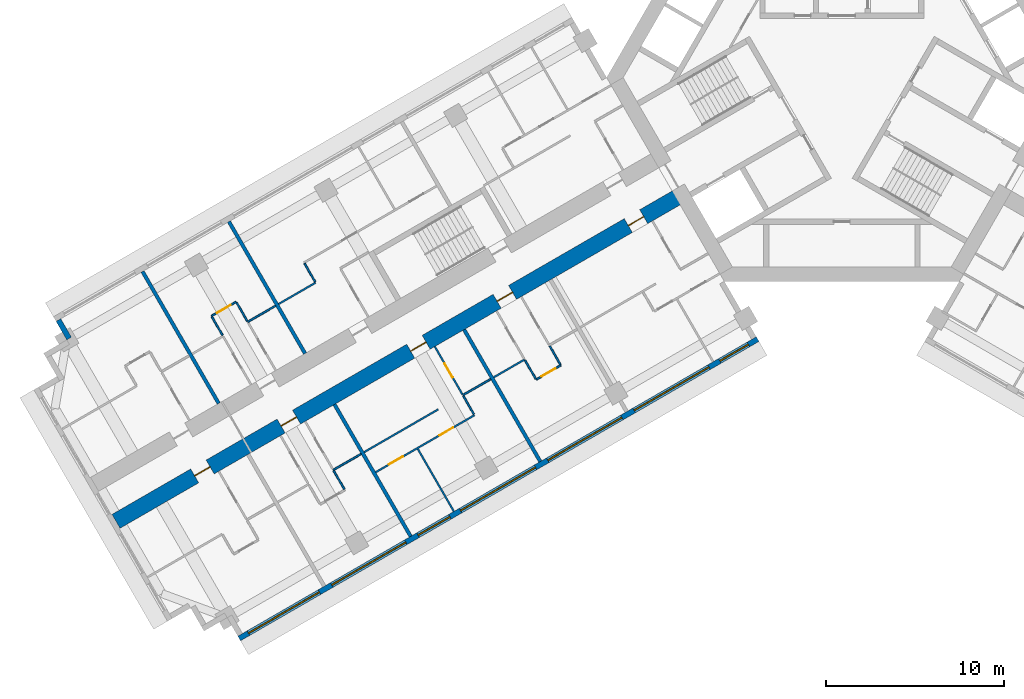
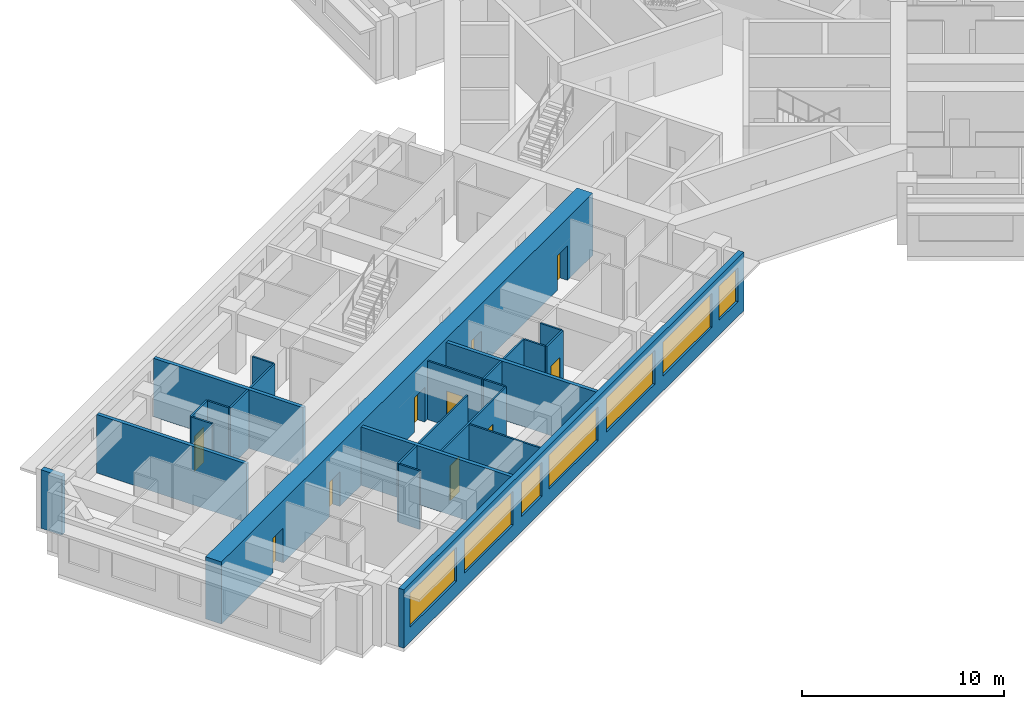
# One storey, part 4 of 16: 25 walls, 10 doors, 7 windows, 17 openings.
"""IFC4 building model written with IfcOpenShell, lengths in metres."""

from ifc_helpers import new_model, si_unit, direction, frame, frame_2d, origin, place, context, subcontext, project, spatial, rectangle, extrude, material, layer, layer_set, type_object, element, fill, save


model = new_model("IFC4")

# Units and contexts
model_context = context("Model", 3, precision=1e-05, world=origin(), true_north=direction((0.0, 1.0)))
body_context = subcontext(model_context, "Body", "Model", "MODEL_VIEW")
ifc_project = project(units=[si_unit("LENGTHUNIT", "METRE"), si_unit("AREAUNIT", "SQUARE_METRE"), si_unit("VOLUMEUNIT", "CUBIC_METRE"), si_unit("PLANEANGLEUNIT", "RADIAN"), si_unit("MASSUNIT", "GRAM", prefix="KILO")], contexts=[model_context])

# Site, building, storey
site_placement = place(None, origin())
site = spatial("IfcSite", under=ifc_project, at=site_placement, CompositionType="ELEMENT")
building_placement = place(site_placement, origin())
building = spatial("IfcBuilding", under=site, at=building_placement, Name="Impinga Residences", CompositionType="ELEMENT")
storey_placement = place(building_placement, frame((0.0, 0.0, 106.0)))
storey = spatial("IfcBuildingStorey", under=building, at=storey_placement, Name="L25", CompositionType="ELEMENT", Elevation=106.0)

# Wall, openings, doors
ifc_material_1 = material(Name="Concrete C60/75", Category="concrete")
ifc_layer_1 = layer(ifc_material_1, 0.89990234375)
ifc_layer_set_1 = layer_set([ifc_layer_1], Name="Concrete C60/75")
wall_type_1 = type_object("IfcWallType", Name="BW2 corridor buttress wall, L24 to L44 900", PredefinedType="SHEAR", material=ifc_layer_set_1)
wall_1_placement = place(storey_placement, frame((-8.95361328125, -6.554931640625, 0.0), z_axis=(0.0, 0.0, 1.0), x_axis=(-0.866024733898, -0.500001160275, 0.0)))
wall_1 = element("IfcWall", 1, at=wall_1_placement, inside=storey, type_object=wall_type_1, Name="Corridor wall BW2 WC L25", PredefinedType="SHEAR", context=body_context, shape_type="SweptSolid", body=[
    extrude(rectangle(XDim=36.7001953125, YDim=0.89990234375, at=frame_2d((18.35009765625, 0.0))), origin(), (0.0, 0.0, 1.0), 3.75),
])
opening_1_placement = place(wall_1_placement, frame((2.5, 0.0, 0.0)))
opening_1 = element("IfcOpeningElement", 2, at=opening_1_placement, cuts=wall_1, Name="Opening D1", PredefinedType="OPENING", context=body_context, shape_type="SweptSolid", body=[
    extrude(rectangle(XDim=1.0, YDim=2.10009765625, at=frame_2d((0.5, 1.050048828125))), frame((0.0, 0.4599609375, 0.0), z_axis=(0.0, -1.0, 0.0), x_axis=(1.0, 0.0, 0.0)), (0.0, 0.0, 1.0), 0.919921875),
])
opening_2_placement = place(wall_1_placement, frame((11.0, 0.0, 0.0)))
opening_2 = element("IfcOpeningElement", 3, at=opening_2_placement, cuts=wall_1, Name="Opening D1", PredefinedType="OPENING", context=body_context, shape_type="SweptSolid", body=[
    extrude(rectangle(XDim=1.0, YDim=2.10009765625, at=frame_2d((0.5, 1.050048828125))), frame((0.0, 0.4599609375, 0.0), z_axis=(0.0, -1.0, 0.0), x_axis=(1.0, 0.0, 0.0)), (0.0, 0.0, 1.0), 0.919921875),
])
opening_3_placement = place(wall_1_placement, frame((16.60009765625, 0.0, 0.0)))
opening_3 = element("IfcOpeningElement", 4, at=opening_3_placement, cuts=wall_1, Name="Opening D1", PredefinedType="OPENING", context=body_context, shape_type="SweptSolid", body=[
    extrude(rectangle(XDim=1.0, YDim=2.10009765625, at=frame_2d((0.5, 1.050048828125))), frame((0.0, 0.4599609375, 0.0), z_axis=(0.0, -1.0, 0.0), x_axis=(1.0, 0.0, 0.0)), (0.0, 0.0, 1.0), 0.919921875),
])
opening_4_placement = place(wall_1_placement, frame((25.0, 0.0, 0.0)))
opening_4 = element("IfcOpeningElement", 5, at=opening_4_placement, cuts=wall_1, Name="Opening D1", PredefinedType="OPENING", context=body_context, shape_type="SweptSolid", body=[
    extrude(rectangle(XDim=1.0, YDim=2.10009765625, at=frame_2d((0.5, 1.050048828125))), frame((0.0, 0.4599609375, 0.0), z_axis=(0.0, -1.0, 0.0), x_axis=(1.0, 0.0, 0.0)), (0.0, 0.0, 1.0), 0.919921875),
])
opening_5_placement = place(wall_1_placement, frame((30.60009765625, 0.0, 0.0)))
opening_5 = element("IfcOpeningElement", 6, at=opening_5_placement, cuts=wall_1, Name="Opening D1", PredefinedType="OPENING", context=body_context, shape_type="SweptSolid", body=[
    extrude(rectangle(XDim=1.0, YDim=2.10009765625, at=frame_2d((0.5, 1.050048828125))), frame((0.0, 0.4599609375, 0.0), z_axis=(0.0, -1.0, 0.0), x_axis=(1.0, 0.0, 0.0)), (0.0, 0.0, 1.0), 0.919921875),
])
ifc_material_2 = material(Name="Timber door set", Category="wood")
door_type_1 = type_object("IfcDoorType", Name="D1 apartment entrance door 1000x2100", OperationType="SINGLE_SWING_LEFT", PredefinedType="DOOR", material=ifc_material_2)
door_1_placement = place(opening_1_placement, origin())
door_1 = element("IfcDoor", 7, at=door_1_placement, inside=storey, type_object=door_type_1, Name="Apartment L25-WA1 entrance", OperationType="SINGLE_SWING_LEFT", OverallHeight=2.10009765625, OverallWidth=1.0, PredefinedType="DOOR", context=body_context, shape_type="SweptSolid", body=[
    extrude(rectangle(XDim=1.0, YDim=2.10009765625, at=frame_2d((0.5, 1.050048828125))), frame((0.0, 0.02490234375, 0.0), z_axis=(0.0, -1.0, 0.0), x_axis=(1.0, 0.0, 0.0)), (0.0, 0.0, 1.0), 0.050048828125),
])
fill(opening_1, door_1)
door_2_placement = place(opening_2_placement, origin())
door_2 = element("IfcDoor", 8, at=door_2_placement, inside=storey, type_object=door_type_1, Name="Apartment L25-WA2 entrance", OperationType="SINGLE_SWING_LEFT", OverallHeight=2.10009765625, OverallWidth=1.0, PredefinedType="DOOR", context=body_context, shape_type="SweptSolid", body=[
    extrude(rectangle(XDim=1.0, YDim=2.10009765625, at=frame_2d((0.5, 1.050048828125))), frame((0.0, 0.02490234375, 0.0), z_axis=(0.0, -1.0, 0.0), x_axis=(1.0, 0.0, 0.0)), (0.0, 0.0, 1.0), 0.050048828125),
])
fill(opening_2, door_2)
door_3_placement = place(opening_3_placement, origin())
door_3 = element("IfcDoor", 9, at=door_3_placement, inside=storey, type_object=door_type_1, Name="Apartment L25-WA3 entrance", OperationType="SINGLE_SWING_LEFT", OverallHeight=2.10009765625, OverallWidth=1.0, PredefinedType="DOOR", context=body_context, shape_type="SweptSolid", body=[
    extrude(rectangle(XDim=1.0, YDim=2.10009765625, at=frame_2d((0.5, 1.050048828125))), frame((0.0, 0.02490234375, 0.0), z_axis=(0.0, -1.0, 0.0), x_axis=(1.0, 0.0, 0.0)), (0.0, 0.0, 1.0), 0.050048828125),
])
fill(opening_3, door_3)
door_4_placement = place(opening_4_placement, origin())
door_4 = element("IfcDoor", 10, at=door_4_placement, inside=storey, type_object=door_type_1, Name="Apartment L25-WA4 entrance", OperationType="SINGLE_SWING_RIGHT", OverallHeight=2.10009765625, OverallWidth=1.0, PredefinedType="DOOR", context=body_context, shape_type="SweptSolid", body=[
    extrude(rectangle(XDim=1.0, YDim=2.10009765625, at=frame_2d((0.5, 1.050048828125))), frame((0.0, 0.02490234375, 0.0), z_axis=(0.0, -1.0, 0.0), x_axis=(1.0, 0.0, 0.0)), (0.0, 0.0, 1.0), 0.050048828125),
])
fill(opening_4, door_4)
door_5_placement = place(opening_5_placement, origin())
door_5 = element("IfcDoor", 11, at=door_5_placement, inside=storey, type_object=door_type_1, Name="Apartment L25-WA5 entrance", OperationType="SINGLE_SWING_RIGHT", OverallHeight=2.10009765625, OverallWidth=1.0, PredefinedType="DOOR", context=body_context, shape_type="SweptSolid", body=[
    extrude(rectangle(XDim=1.0, YDim=2.10009765625, at=frame_2d((0.5, 1.050048828125))), frame((0.0, 0.02490234375, 0.0), z_axis=(0.0, -1.0, 0.0), x_axis=(1.0, 0.0, 0.0)), (0.0, 0.0, 1.0), 0.050048828125),
])
fill(opening_5, door_5)

# Wall
ifc_material_3 = material(Name="Terracotta rainscreen on blockwork", Category="masonry")
ifc_layer_2 = layer(ifc_material_3, 0.300048828125)
ifc_layer_set_2 = layer_set([ifc_layer_2], Name="EW1 external wall, terracotta rainscreen on blockwork 300")
wall_type_2 = type_object("IfcWallType", Name="EW1 external wall, terracotta rainscreen on blockwork 300", PredefinedType="SOLIDWALL", material=ifc_layer_set_2)
wall_2_placement = place(storey_placement, frame((-43.37109375, -14.64208984375, 0.0), z_axis=(0.0, 0.0, 1.0), x_axis=(-0.500029051137, 0.866008630453, 0.0)))
element("IfcWall", 12, at=wall_2_placement, inside=storey, type_object=wall_type_2, Name="External wall EW1 L25", PredefinedType="SOLIDWALL", context=body_context, shape_type="SweptSolid", body=[
    extrude(rectangle(XDim=1.19482421875, YDim=0.300048828125, at=frame_2d((0.597412109375, 0.0))), origin(), (0.0, 0.0, 1.0), 3.530029296875),
])

# Wall, openings, windows
wall_3_placement = place(storey_placement, frame((-4.72509765625, -14.67919921875, 0.0), z_axis=(0.0, 0.0, 1.0), x_axis=(-0.866024291668, -0.500001926238, 0.0)))
wall_3 = element("IfcWall", 13, at=wall_3_placement, inside=storey, type_object=wall_type_2, Name="External wall EW1 L25", PredefinedType="SOLIDWALL", context=body_context, shape_type="SweptSolid", body=[
    extrude(rectangle(XDim=33.599853515625, YDim=0.300048828125, at=frame_2d((16.7998046875, 0.0))), origin(), (0.0, 0.0, 1.0), 3.530029296875),
])
opening_6_placement = place(wall_3_placement, frame((0.60009765625, 0.0, 0.89990234375)))
opening_6 = element("IfcOpeningElement", 14, at=opening_6_placement, cuts=wall_3, Name="Opening W15", PredefinedType="OPENING", context=body_context, shape_type="SweptSolid", body=[
    extrude(rectangle(XDim=1.85009765625, YDim=2.050048828125, at=frame_2d((0.925048828125, 1.02490234375))), frame((0.0, 0.159912109375, 0.0), z_axis=(0.0, -1.0, 0.0), x_axis=(1.0, 0.0, 0.0)), (0.0, 0.0, 1.0), 0.320068359375),
])
opening_7_placement = place(wall_3_placement, frame((3.14990234375, 0.0, 0.89990234375)))
opening_7 = element("IfcOpeningElement", 15, at=opening_7_placement, cuts=wall_3, Name="Opening W6", PredefinedType="OPENING", context=body_context, shape_type="SweptSolid", body=[
    extrude(rectangle(XDim=4.85009765625, YDim=2.050048828125, at=frame_2d((2.425048828125, 1.02490234375))), frame((0.0, 0.159912109375, 0.0), z_axis=(0.0, -1.0, 0.0), x_axis=(1.0, 0.0, 0.0)), (0.0, 0.0, 1.0), 0.320068359375),
])
opening_8_placement = place(wall_3_placement, frame((8.800048828125, 0.0, 0.89990234375)))
opening_8 = element("IfcOpeningElement", 16, at=opening_8_placement, cuts=wall_3, Name="Opening W8", PredefinedType="OPENING", context=body_context, shape_type="SweptSolid", body=[
    extrude(rectangle(XDim=4.800048828125, YDim=2.050048828125, at=frame_2d((2.39990234375, 1.02490234375))), frame((0.0, 0.159912109375, 0.0), z_axis=(0.0, -1.0, 0.0), x_axis=(1.0, 0.0, 0.0)), (0.0, 0.0, 1.0), 0.320068359375),
])
opening_9_placement = place(wall_3_placement, frame((14.39990234375, 0.0, 0.89990234375)))
opening_9 = element("IfcOpeningElement", 17, at=opening_9_placement, cuts=wall_3, Name="Opening W6", PredefinedType="OPENING", context=body_context, shape_type="SweptSolid", body=[
    extrude(rectangle(XDim=4.85009765625, YDim=2.050048828125, at=frame_2d((2.425048828125, 1.02490234375))), frame((0.0, 0.159912109375, 0.0), z_axis=(0.0, -1.0, 0.0), x_axis=(1.0, 0.0, 0.0)), (0.0, 0.0, 1.0), 0.320068359375),
])
opening_10_placement = place(wall_3_placement, frame((19.949951171875, 0.0, 0.89990234375)))
opening_10 = element("IfcOpeningElement", 18, at=opening_10_placement, cuts=wall_3, Name="Opening W14", PredefinedType="OPENING", context=body_context, shape_type="SweptSolid", body=[
    extrude(rectangle(XDim=2.050048828125, YDim=2.050048828125, at=frame_2d((1.02490234375, 1.02490234375))), frame((0.0, 0.159912109375, 0.0), z_axis=(0.0, -1.0, 0.0), x_axis=(1.0, 0.0, 0.0)), (0.0, 0.0, 1.0), 0.320068359375),
])
opening_11_placement = place(wall_3_placement, frame((22.800048828125, 0.0, 0.89990234375)))
opening_11 = element("IfcOpeningElement", 19, at=opening_11_placement, cuts=wall_3, Name="Opening W8", PredefinedType="OPENING", context=body_context, shape_type="SweptSolid", body=[
    extrude(rectangle(XDim=4.800048828125, YDim=2.050048828125, at=frame_2d((2.39990234375, 1.02490234375))), frame((0.0, 0.159912109375, 0.0), z_axis=(0.0, -1.0, 0.0), x_axis=(1.0, 0.0, 0.0)), (0.0, 0.0, 1.0), 0.320068359375),
])
opening_12_placement = place(wall_3_placement, frame((28.39990234375, 0.0, 0.89990234375)))
opening_12 = element("IfcOpeningElement", 20, at=opening_12_placement, cuts=wall_3, Name="Opening W3", PredefinedType="OPENING", context=body_context, shape_type="SweptSolid", body=[
    extrude(rectangle(XDim=4.60009765625, YDim=2.050048828125, at=frame_2d((2.300048828125, 1.02490234375))), frame((0.0, 0.159912109375, 0.0), z_axis=(0.0, -1.0, 0.0), x_axis=(1.0, 0.0, 0.0)), (0.0, 0.0, 1.0), 0.320068359375),
])
ifc_material_4 = material(Name="Aluminium window, clear double glazing", Category="aluminium")
window_type_1 = type_object("IfcWindowType", Name="W14 ribbon window 2050x2050", PartitioningType="SINGLE_PANEL", PredefinedType="WINDOW", material=ifc_material_4)
window_1_placement = place(opening_10_placement, origin())
window_1 = element("IfcWindow", 21, at=window_1_placement, inside=storey, type_object=window_type_1, Name="Window L25", OverallHeight=2.050048828125, OverallWidth=2.050048828125, PartitioningType="SINGLE_PANEL", PredefinedType="WINDOW", context=body_context, shape_type="SweptSolid", body=[
    extrude(rectangle(XDim=2.050048828125, YDim=2.050048828125, at=frame_2d((1.02490234375, 1.02490234375))), frame((0.0, 0.030029296875, 0.0), z_axis=(0.0, -1.0, 0.0), x_axis=(1.0, 0.0, 0.0)), (0.0, 0.0, 1.0), 0.06005859375),
])
fill(opening_10, window_1)
window_type_2 = type_object("IfcWindowType", Name="W15 ribbon window 1850x2050", PartitioningType="SINGLE_PANEL", PredefinedType="WINDOW", material=ifc_material_4)
window_2_placement = place(opening_6_placement, origin())
window_2 = element("IfcWindow", 22, at=window_2_placement, inside=storey, type_object=window_type_2, Name="Window L25", OverallHeight=2.050048828125, OverallWidth=1.85009765625, PartitioningType="SINGLE_PANEL", PredefinedType="WINDOW", context=body_context, shape_type="SweptSolid", body=[
    extrude(rectangle(XDim=1.85009765625, YDim=2.050048828125, at=frame_2d((0.925048828125, 1.02490234375))), frame((0.0, 0.030029296875, 0.0), z_axis=(0.0, -1.0, 0.0), x_axis=(1.0, 0.0, 0.0)), (0.0, 0.0, 1.0), 0.06005859375),
])
fill(opening_6, window_2)
window_type_3 = type_object("IfcWindowType", Name="W3 ribbon window 4600x2050", PartitioningType="SINGLE_PANEL", PredefinedType="WINDOW", material=ifc_material_4)
window_3_placement = place(opening_12_placement, origin())
window_3 = element("IfcWindow", 23, at=window_3_placement, inside=storey, type_object=window_type_3, Name="Window L25", OverallHeight=2.050048828125, OverallWidth=4.60009765625, PartitioningType="SINGLE_PANEL", PredefinedType="WINDOW", context=body_context, shape_type="SweptSolid", body=[
    extrude(rectangle(XDim=4.60009765625, YDim=2.050048828125, at=frame_2d((2.300048828125, 1.02490234375))), frame((0.0, 0.030029296875, 0.0), z_axis=(0.0, -1.0, 0.0), x_axis=(1.0, 0.0, 0.0)), (0.0, 0.0, 1.0), 0.06005859375),
])
fill(opening_12, window_3)
window_type_4 = type_object("IfcWindowType", Name="W6 ribbon window 4850x2050", PartitioningType="SINGLE_PANEL", PredefinedType="WINDOW", material=ifc_material_4)
window_4_placement = place(opening_7_placement, origin())
window_4 = element("IfcWindow", 24, at=window_4_placement, inside=storey, type_object=window_type_4, Name="Window L25", OverallHeight=2.050048828125, OverallWidth=4.85009765625, PartitioningType="SINGLE_PANEL", PredefinedType="WINDOW", context=body_context, shape_type="SweptSolid", body=[
    extrude(rectangle(XDim=4.85009765625, YDim=2.050048828125, at=frame_2d((2.425048828125, 1.02490234375))), frame((0.0, 0.030029296875, 0.0), z_axis=(0.0, -1.0, 0.0), x_axis=(1.0, 0.0, 0.0)), (0.0, 0.0, 1.0), 0.06005859375),
])
fill(opening_7, window_4)
window_5_placement = place(opening_9_placement, origin())
window_5 = element("IfcWindow", 25, at=window_5_placement, inside=storey, type_object=window_type_4, Name="Window L25", OverallHeight=2.050048828125, OverallWidth=4.85009765625, PartitioningType="SINGLE_PANEL", PredefinedType="WINDOW", context=body_context, shape_type="SweptSolid", body=[
    extrude(rectangle(XDim=4.85009765625, YDim=2.050048828125, at=frame_2d((2.425048828125, 1.02490234375))), frame((0.0, 0.030029296875, 0.0), z_axis=(0.0, -1.0, 0.0), x_axis=(1.0, 0.0, 0.0)), (0.0, 0.0, 1.0), 0.06005859375),
])
fill(opening_9, window_5)
window_type_5 = type_object("IfcWindowType", Name="W8 ribbon window 4800x2050", PartitioningType="SINGLE_PANEL", PredefinedType="WINDOW", material=ifc_material_4)
window_6_placement = place(opening_8_placement, origin())
window_6 = element("IfcWindow", 26, at=window_6_placement, inside=storey, type_object=window_type_5, Name="Window L25", OverallHeight=2.050048828125, OverallWidth=4.800048828125, PartitioningType="SINGLE_PANEL", PredefinedType="WINDOW", context=body_context, shape_type="SweptSolid", body=[
    extrude(rectangle(XDim=4.800048828125, YDim=2.050048828125, at=frame_2d((2.39990234375, 1.02490234375))), frame((0.0, 0.030029296875, 0.0), z_axis=(0.0, -1.0, 0.0), x_axis=(1.0, 0.0, 0.0)), (0.0, 0.0, 1.0), 0.06005859375),
])
fill(opening_8, window_6)
window_7_placement = place(opening_11_placement, origin())
window_7 = element("IfcWindow", 27, at=window_7_placement, inside=storey, type_object=window_type_5, Name="Window L25", OverallHeight=2.050048828125, OverallWidth=4.800048828125, PartitioningType="SINGLE_PANEL", PredefinedType="WINDOW", context=body_context, shape_type="SweptSolid", body=[
    extrude(rectangle(XDim=4.800048828125, YDim=2.050048828125, at=frame_2d((2.39990234375, 1.02490234375))), frame((0.0, 0.030029296875, 0.0), z_axis=(0.0, -1.0, 0.0), x_axis=(1.0, 0.0, 0.0)), (0.0, 0.0, 1.0), 0.06005859375),
])
fill(opening_11, window_7)

# Wall
ifc_material_5 = material(Name="Gypsum board on steel studs", Category="steel")
ifc_layer_3 = layer(ifc_material_5, 0.10009765625)
ifc_layer_set_3 = layer_set([ifc_layer_3], Name="Gypsum board on steel studs")
wall_type_3 = type_object("IfcWallType", Name="IP1 partition 100", PredefinedType="PARTITIONING", material=ifc_layer_set_3)
wall_4_placement = place(storey_placement, frame((-17.8056640625, -15.82275390625, 0.0), z_axis=(0.0, 0.0, 1.0), x_axis=(-0.866041268327, -0.499972520799, 0.0)))
element("IfcWall", 28, at=wall_4_placement, inside=storey, type_object=wall_type_3, Name="Partition L25-WA2:DIV1", PredefinedType="PARTITIONING", context=body_context, shape_type="SweptSolid", body=[
    extrude(rectangle(XDim=2.0, YDim=0.10009765625, at=frame_2d((1.0, 0.0))), origin(), (0.0, 0.0, 1.0), 3.530029296875),
])

# Wall, opening, door
wall_5_placement = place(storey_placement, frame((-15.77001953125, -16.1484375, 0.0), z_axis=(0.0, 0.0, 1.0), x_axis=(-0.866028054938, -0.499995408039, 0.0)))
wall_5 = element("IfcWall", 29, at=wall_5_placement, inside=storey, type_object=wall_type_3, Name="Partition L25-WA2:STRIP", PredefinedType="PARTITIONING", context=body_context, shape_type="SweptSolid", body=[
    extrude(rectangle(XDim=1.60009765625, YDim=0.10009765625, at=frame_2d((0.800048828125, 0.0))), origin(), (0.0, 0.0, 1.0), 3.530029296875),
])
opening_13_placement = place(wall_5_placement, frame((0.35009765625, 0.0, 0.0)))
opening_13 = element("IfcOpeningElement", 30, at=opening_13_placement, cuts=wall_5, Name="Opening D2", PredefinedType="OPENING", context=body_context, shape_type="SweptSolid", body=[
    extrude(rectangle(XDim=0.89990234375, YDim=2.10009765625, at=frame_2d((0.449951171875, 1.050048828125))), frame((0.0, 0.06005859375, 0.0), z_axis=(0.0, -1.0, 0.0), x_axis=(1.0, 0.0, 0.0)), (0.0, 0.0, 1.0), 0.1201171875),
])
door_type_2 = type_object("IfcDoorType", Name="D2 internal door 900x2100", OperationType="SINGLE_SWING_LEFT", PredefinedType="DOOR", material=ifc_material_2)
door_6_placement = place(opening_13_placement, origin())
door_6 = element("IfcDoor", 31, at=door_6_placement, inside=storey, type_object=door_type_2, Name="Apartment L25-WA2 room door", OperationType="SINGLE_SWING_LEFT", OverallHeight=2.10009765625, OverallWidth=0.89990234375, PredefinedType="DOOR", context=body_context, shape_type="SweptSolid", body=[
    extrude(rectangle(XDim=0.89990234375, YDim=2.10009765625, at=frame_2d((0.449951171875, 1.050048828125))), frame((0.0, 0.02490234375, 0.0), z_axis=(0.0, -1.0, 0.0), x_axis=(1.0, 0.0, 0.0)), (0.0, 0.0, 1.0), 0.050048828125),
])
fill(opening_13, door_6)

# Walls
wall_6_placement = place(storey_placement, frame((-16.39501953125, -15.06591796875, 0.0), z_axis=(0.0, 0.0, 1.0), x_axis=(0.499880961361, -0.866094119867, 0.0)))
element("IfcWall", 32, at=wall_6_placement, inside=storey, type_object=wall_type_3, Name="Partition L25-WA2:SE0", PredefinedType="PARTITIONING", context=body_context, shape_type="SweptSolid", body=[
    extrude(rectangle(XDim=1.199951171875, YDim=0.10009765625, at=frame_2d((0.60009765625, 0.0))), origin(), (0.0, 0.0, 1.0), 3.530029296875),
])
wall_7_placement = place(storey_placement, frame((-17.78076171875, -15.865966796875, 0.0), z_axis=(0.0, 0.0, 1.0), x_axis=(0.500033551112, -0.866006032174, 0.0)))
element("IfcWall", 33, at=wall_7_placement, inside=storey, type_object=wall_type_3, Name="Partition L25-WA2:SE1", PredefinedType="PARTITIONING", context=body_context, shape_type="SweptSolid", body=[
    extrude(rectangle(XDim=1.2001953125, YDim=0.10009765625, at=frame_2d((0.60009765625, 0.0))), origin(), (0.0, 0.0, 1.0), 3.530029296875),
])
wall_8_placement = place(storey_placement, frame((-19.7109375, -16.922607421875, 0.0), z_axis=(0.0, 0.0, 1.0), x_axis=(-0.865989075817, -0.500062916607, 0.0)))
element("IfcWall", 34, at=wall_8_placement, inside=storey, type_object=wall_type_3, Name="Partition L25-WA3:DIV0", PredefinedType="PARTITIONING", context=body_context, shape_type="SweptSolid", body=[
    extrude(rectangle(XDim=1.800048828125, YDim=0.10009765625, at=frame_2d((0.89990234375, 0.0))), origin(), (0.0, 0.0, 1.0), 3.530029296875),
])
wall_9_placement = place(storey_placement, frame((-22.655517578125, -18.622802734375, 0.0), z_axis=(0.0, 0.0, 1.0), x_axis=(-0.866024647952, -0.500001309137, 0.0)))
element("IfcWall", 35, at=wall_9_placement, inside=storey, type_object=wall_type_3, Name="Partition L25-WA3:DIV1", PredefinedType="PARTITIONING", context=body_context, shape_type="SweptSolid", body=[
    extrude(rectangle(XDim=4.7998046875, YDim=0.10009765625, at=frame_2d((2.39990234375, 0.0))), origin(), (0.0, 0.0, 1.0), 3.530029296875),
])

# Wall, openings, doors
wall_10_placement = place(storey_placement, frame((-20.619873046875, -18.948486328125, 0.0), z_axis=(0.0, 0.0, 1.0), x_axis=(-0.866025499775, -0.499999833739, 0.0)))
wall_10 = element("IfcWall", 36, at=wall_10_placement, inside=storey, type_object=wall_type_3, Name="Partition L25-WA3:STRIP", PredefinedType="PARTITIONING", context=body_context, shape_type="SweptSolid", body=[
    extrude(rectangle(XDim=6.39990234375, YDim=0.10009765625, at=frame_2d((3.199951171875, 0.0))), origin(), (0.0, 0.0, 1.0), 3.530029296875),
])
opening_14_placement = place(wall_10_placement, frame((1.375, 0.0, 0.0)))
opening_14 = element("IfcOpeningElement", 37, at=opening_14_placement, cuts=wall_10, Name="Opening D2", PredefinedType="OPENING", context=body_context, shape_type="SweptSolid", body=[
    extrude(rectangle(XDim=0.89990234375, YDim=2.10009765625, at=frame_2d((0.449951171875, 1.050048828125))), frame((0.0, 0.06005859375, 0.0), z_axis=(0.0, -1.0, 0.0), x_axis=(1.0, 0.0, 0.0)), (0.0, 0.0, 1.0), 0.1201171875),
])
opening_15_placement = place(wall_10_placement, frame((4.625, 0.0, 0.0)))
opening_15 = element("IfcOpeningElement", 38, at=opening_15_placement, cuts=wall_10, Name="Opening D2", PredefinedType="OPENING", context=body_context, shape_type="SweptSolid", body=[
    extrude(rectangle(XDim=0.89990234375, YDim=2.10009765625, at=frame_2d((0.449951171875, 1.050048828125))), frame((0.0, 0.06005859375, 0.0), z_axis=(0.0, -1.0, 0.0), x_axis=(1.0, 0.0, 0.0)), (0.0, 0.0, 1.0), 0.1201171875),
])
door_7_placement = place(opening_14_placement, origin())
door_7 = element("IfcDoor", 39, at=door_7_placement, inside=storey, type_object=door_type_2, Name="Apartment L25-WA3 room door", OperationType="SINGLE_SWING_LEFT", OverallHeight=2.10009765625, OverallWidth=0.89990234375, PredefinedType="DOOR", context=body_context, shape_type="SweptSolid", body=[
    extrude(rectangle(XDim=0.89990234375, YDim=2.10009765625, at=frame_2d((0.449951171875, 1.050048828125))), frame((0.0, 0.02490234375, 0.0), z_axis=(0.0, -1.0, 0.0), x_axis=(1.0, 0.0, 0.0)), (0.0, 0.0, 1.0), 0.050048828125),
])
fill(opening_14, door_7)
door_8_placement = place(opening_15_placement, origin())
door_8 = element("IfcDoor", 40, at=door_8_placement, inside=storey, type_object=door_type_2, Name="Apartment L25-WA3 room door", OperationType="SINGLE_SWING_RIGHT", OverallHeight=2.10009765625, OverallWidth=0.89990234375, PredefinedType="DOOR", context=body_context, shape_type="SweptSolid", body=[
    extrude(rectangle(XDim=0.89990234375, YDim=2.10009765625, at=frame_2d((0.449951171875, 1.050048828125))), frame((0.0, 0.02490234375, 0.0), z_axis=(0.0, -1.0, 0.0), x_axis=(1.0, 0.0, 0.0)), (0.0, 0.0, 1.0), 0.050048828125),
])
fill(opening_15, door_8)

# Wall
wall_11_placement = place(storey_placement, frame((-21.244873046875, -17.865966796875, 0.0), z_axis=(0.0, 0.0, 1.0), x_axis=(0.500033551112, -0.866006032174, 0.0)))
element("IfcWall", 41, at=wall_11_placement, inside=storey, type_object=wall_type_3, Name="Partition L25-WA3:SE0", PredefinedType="PARTITIONING", context=body_context, shape_type="SweptSolid", body=[
    extrude(rectangle(XDim=1.2001953125, YDim=0.10009765625, at=frame_2d((0.60009765625, 0.0))), origin(), (0.0, 0.0, 1.0), 3.530029296875),
])

# Wall, opening, door
wall_12_placement = place(storey_placement, frame((-22.8447265625, -15.0947265625, 0.0), z_axis=(0.0, 0.0, 1.0), x_axis=(0.499967891604, -0.866043940782, 0.0)))
wall_12 = element("IfcWall", 42, at=wall_12_placement, inside=storey, type_object=wall_type_3, Name="Partition L25-WA3:IB1", PredefinedType="PARTITIONING", context=body_context, shape_type="SweptSolid", body=[
    extrude(rectangle(XDim=3.099853515625, YDim=0.10009765625, at=frame_2d((1.5498046875, 0.0))), origin(), (0.0, 0.0, 1.0), 3.530029296875),
])
opening_16_placement = place(wall_12_placement, frame((1.10009765625, 0.0, 0.0)))
opening_16 = element("IfcOpeningElement", 43, at=opening_16_placement, cuts=wall_12, Name="Opening D2", PredefinedType="OPENING", context=body_context, shape_type="SweptSolid", body=[
    extrude(rectangle(XDim=0.89990234375, YDim=2.10009765625, at=frame_2d((0.449951171875, 1.050048828125))), frame((0.0, 0.06005859375, 0.0), z_axis=(0.0, -1.0, 0.0), x_axis=(1.0, 0.0, 0.0)), (0.0, 0.0, 1.0), 0.1201171875),
])
door_9_placement = place(opening_16_placement, origin())
door_9 = element("IfcDoor", 44, at=door_9_placement, inside=storey, type_object=door_type_2, Name="Apartment L25-WA3 bathroom door", OperationType="SINGLE_SWING_LEFT", OverallHeight=2.10009765625, OverallWidth=0.89990234375, PredefinedType="DOOR", context=body_context, shape_type="SweptSolid", body=[
    extrude(rectangle(XDim=0.89990234375, YDim=2.10009765625, at=frame_2d((0.449951171875, 1.050048828125))), frame((0.0, 0.02490234375, 0.0), z_axis=(0.0, -1.0, 0.0), x_axis=(1.0, 0.0, 0.0)), (0.0, 0.0, 1.0), 0.050048828125),
])
fill(opening_16, door_9)

# Walls
wall_13_placement = place(storey_placement, frame((-23.799072265625, -20.841796875, 0.0), z_axis=(0.0, 0.0, 1.0), x_axis=(0.499990325971, -0.866030989016, 0.0)))
element("IfcWall", 45, at=wall_13_placement, inside=storey, type_object=wall_type_3, Name="Partition L25-WA3:OB1", PredefinedType="PARTITIONING", context=body_context, shape_type="SweptSolid", body=[
    extrude(rectangle(XDim=4.0498046875, YDim=0.10009765625, at=frame_2d((2.02490234375, 0.0))), origin(), (0.0, 0.0, 1.0), 3.530029296875),
])
wall_14_placement = place(storey_placement, frame((-26.985595703125, -21.122802734375, 0.0), z_axis=(0.0, 0.0, 1.0), x_axis=(-0.866047807691, -0.499961193289, 0.0)))
element("IfcWall", 46, at=wall_14_placement, inside=storey, type_object=wall_type_3, Name="Partition L25-WA4:DIV0", PredefinedType="PARTITIONING", context=body_context, shape_type="SweptSolid", body=[
    extrude(rectangle(XDim=1.800048828125, YDim=0.10009765625, at=frame_2d((0.89990234375, 0.0))), origin(), (0.0, 0.0, 1.0), 3.530029296875),
])
wall_15_placement = place(storey_placement, frame((-28.51953125, -22.06591796875, 0.0), z_axis=(0.0, 0.0, 1.0), x_axis=(0.500033551112, -0.866006032174, 0.0)))
element("IfcWall", 47, at=wall_15_placement, inside=storey, type_object=wall_type_3, Name="Partition L25-WA4:SE0", PredefinedType="PARTITIONING", context=body_context, shape_type="SweptSolid", body=[
    extrude(rectangle(XDim=1.2001953125, YDim=0.10009765625, at=frame_2d((0.60009765625, 0.0))), origin(), (0.0, 0.0, 1.0), 3.530029296875),
])
wall_16_placement = place(storey_placement, frame((-29.533935546875, -11.5087890625, 0.0), z_axis=(0.0, 0.0, 1.0), x_axis=(-0.866024647952, -0.500001309137, 0.0)))
element("IfcWall", 48, at=wall_16_placement, inside=storey, type_object=wall_type_3, Name="Partition L25-WF2:DIV1", PredefinedType="PARTITIONING", context=body_context, shape_type="SweptSolid", body=[
    extrude(rectangle(XDim=2.39990234375, YDim=0.10009765625, at=frame_2d((1.199951171875, 0.0))), origin(), (0.0, 0.0, 1.0), 3.530029296875),
])
wall_17_placement = place(storey_placement, frame((-29.558837890625, -11.465576171875, 0.0), z_axis=(0.0, 0.0, 1.0), x_axis=(-0.500033551112, 0.866006032174, 0.0)))
element("IfcWall", 49, at=wall_17_placement, inside=storey, type_object=wall_type_3, Name="Partition L25-WF2:SE1", PredefinedType="PARTITIONING", context=body_context, shape_type="SweptSolid", body=[
    extrude(rectangle(XDim=1.2001953125, YDim=0.10009765625, at=frame_2d((0.60009765625, 0.0))), origin(), (0.0, 0.0, 1.0), 3.530029296875),
])
wall_18_placement = place(storey_placement, frame((-31.78564453125, -12.808837890625, 0.0), z_axis=(0.0, 0.0, 1.0), x_axis=(-0.866047807691, -0.499961193289, 0.0)))
element("IfcWall", 50, at=wall_18_placement, inside=storey, type_object=wall_type_3, Name="Partition L25-WF3:DIV0", PredefinedType="PARTITIONING", context=body_context, shape_type="SweptSolid", body=[
    extrude(rectangle(XDim=1.800048828125, YDim=0.10009765625, at=frame_2d((0.89990234375, 0.0))), origin(), (0.0, 0.0, 1.0), 3.530029296875),
])

# Wall, opening, door
wall_19_placement = place(storey_placement, frame((-33.994384765625, -12.5830078125, 0.0), z_axis=(0.0, 0.0, 1.0), x_axis=(-0.866028054938, -0.499995408039, 0.0)))
wall_19 = element("IfcWall", 51, at=wall_19_placement, inside=storey, type_object=wall_type_3, Name="Partition L25-WF3:STRIP", PredefinedType="PARTITIONING", context=body_context, shape_type="SweptSolid", body=[
    extrude(rectangle(XDim=1.60009765625, YDim=0.10009765625, at=frame_2d((0.800048828125, 0.0))), origin(), (0.0, 0.0, 1.0), 3.530029296875),
])
opening_17_placement = place(wall_19_placement, frame((0.35009765625, 0.0, 0.0)))
opening_17 = element("IfcOpeningElement", 52, at=opening_17_placement, cuts=wall_19, Name="Opening D2", PredefinedType="OPENING", context=body_context, shape_type="SweptSolid", body=[
    extrude(rectangle(XDim=0.89990234375, YDim=2.10009765625, at=frame_2d((0.449951171875, 1.050048828125))), frame((0.0, 0.06005859375, 0.0), z_axis=(0.0, -1.0, 0.0), x_axis=(1.0, 0.0, 0.0)), (0.0, 0.0, 1.0), 0.1201171875),
])
door_10_placement = place(opening_17_placement, origin())
door_10 = element("IfcDoor", 53, at=door_10_placement, inside=storey, type_object=door_type_2, Name="Apartment L25-WF3 room door", OperationType="SINGLE_SWING_LEFT", OverallHeight=2.10009765625, OverallWidth=0.89990234375, PredefinedType="DOOR", context=body_context, shape_type="SweptSolid", body=[
    extrude(rectangle(XDim=0.89990234375, YDim=2.10009765625, at=frame_2d((0.449951171875, 1.050048828125))), frame((0.0, 0.02490234375, 0.0), z_axis=(0.0, -1.0, 0.0), x_axis=(1.0, 0.0, 0.0)), (0.0, 0.0, 1.0), 0.050048828125),
])
fill(opening_17, door_10)

# Walls
wall_20_placement = place(storey_placement, frame((-33.369384765625, -13.66552734375, 0.0), z_axis=(0.0, 0.0, 1.0), x_axis=(-0.500033551112, 0.866006032174, 0.0)))
element("IfcWall", 54, at=wall_20_placement, inside=storey, type_object=wall_type_3, Name="Partition L25-WF3:SE0", PredefinedType="PARTITIONING", context=body_context, shape_type="SweptSolid", body=[
    extrude(rectangle(XDim=1.2001953125, YDim=0.10009765625, at=frame_2d((0.60009765625, 0.0))), origin(), (0.0, 0.0, 1.0), 3.530029296875),
])
wall_21_placement = place(storey_placement, frame((-34.755126953125, -14.465576171875, 0.0), z_axis=(0.0, 0.0, 1.0), x_axis=(-0.499880961361, 0.866094119867, 0.0)))
element("IfcWall", 55, at=wall_21_placement, inside=storey, type_object=wall_type_3, Name="Partition L25-WF3:SE1", PredefinedType="PARTITIONING", context=body_context, shape_type="SweptSolid", body=[
    extrude(rectangle(XDim=1.199951171875, YDim=0.10009765625, at=frame_2d((0.60009765625, 0.0))), origin(), (0.0, 0.0, 1.0), 3.530029296875),
])
ifc_material_6 = material(Name="Concrete blockwork", Category="masonry")
ifc_layer_4 = layer(ifc_material_6, 0.199951171875)
ifc_layer_set_4 = layer_set([ifc_layer_4], Name="PW1 party wall between apartments 200")
wall_type_4 = type_object("IfcWallType", Name="PW1 party wall between apartments 200", PredefinedType="SOLIDWALL", material=ifc_layer_set_4)
for number, where, z_axis, x_axis, name in (
    (56, (-21.199462890625, -14.144775390625, 0.0), (0.0, 0.0, 1.0), (0.500011643316, -0.866018681408, 0.0), "Party wall between apartments L25-WA2:PARTY"),
    (57, (-28.473876953125, -18.3447265625, 0.0), (0.0, 0.0, 1.0), (0.499990227581, -0.86603104582, 0.0), "Party wall between apartments L25-WA3:PARTY"),
    (58, (-30.1240234375, -15.48681640625, 0.0), (0.0, 0.0, 1.0), (-0.499990227581, 0.86603104582, 0.0), "Party wall between apartments L25-WF2:PARTY"),
    (59, (-34.9736328125, -18.286865234375, 0.0), (0.0, 0.0, 1.0), (-0.500011643316, 0.866018681408, 0.0), "Party wall between apartments L25-WF3:PARTY"),
):
    element("IfcWall", number, at=place(storey_placement, frame(where, z_axis=z_axis, x_axis=x_axis)), inside=storey, type_object=wall_type_4, Name=name, PredefinedType="SOLIDWALL", context=body_context, shape_type="SweptSolid", body=[
        extrude(rectangle(XDim=8.550048828125, YDim=0.199951171875, at=frame_2d((4.27490234375, 0.0))), origin(), (0.0, 0.0, 1.0), 3.530029296875),
    ])

save(model, "model.ifc")
